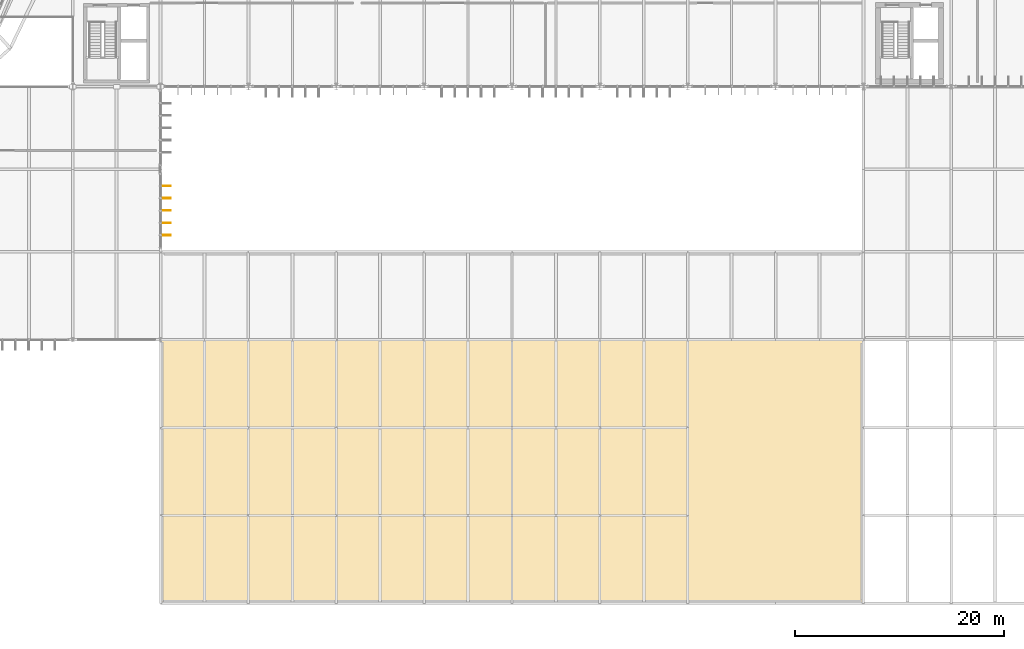
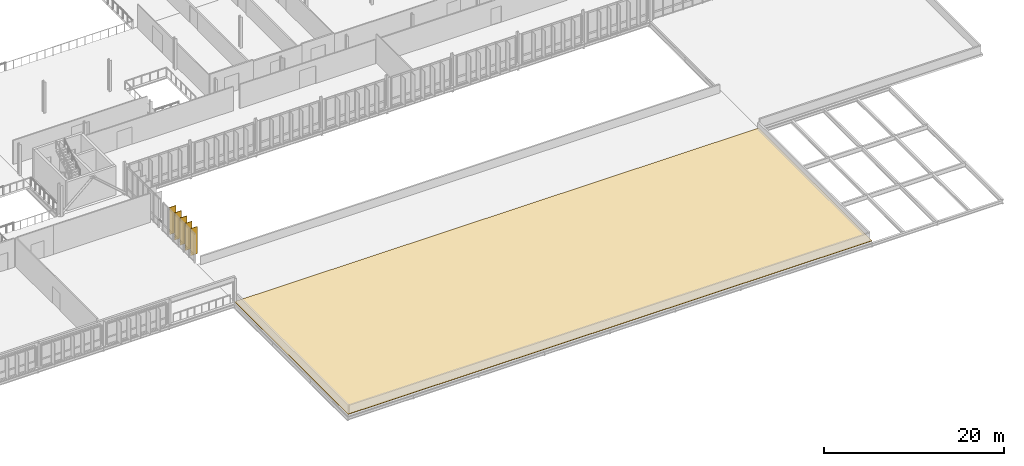
# One storey, part 99 of 107: 5 shading devices, 1 covering, 1 element without a shape of its own.
"""IFC4 building model written with IfcOpenShell, lengths in metres."""

from ifc_helpers import new_model, si_unit, derived_unit, direction, frame, origin, origin_2d, place, context, subcontext, project, spatial, polyline, rectangle, outline, extrude, material, layer, layer_set, type_object, element, aggregate, save


model = new_model("IFC4")

# Units and contexts
model_context = context("Model", 3, precision=1e-05, world=origin(), true_north=direction((0.0, 1.0)))
body_context = subcontext(model_context, "Body", "Model", "MODEL_VIEW")
ifc_project = project(units=[si_unit("LENGTHUNIT", "METRE"), si_unit("AREAUNIT", "SQUARE_METRE"), si_unit("VOLUMEUNIT", "CUBIC_METRE"), si_unit("PLANEANGLEUNIT", "RADIAN"), si_unit("MASSUNIT", "GRAM", prefix="KILO"), derived_unit("THERMALTRANSMITTANCEUNIT", [(si_unit("MASSUNIT", "GRAM", prefix="KILO"), 1), (si_unit("TIMEUNIT", "SECOND"), -3), (si_unit("THERMODYNAMICTEMPERATUREUNIT", "KELVIN"), -1)])], contexts=[model_context])

# Site, building, storey
site_placement = place(None, origin())
site = spatial("IfcSite", under=ifc_project, at=site_placement, CompositionType="ELEMENT")
building_placement = place(site_placement, origin())
building = spatial("IfcBuilding", under=site, at=building_placement, Name="Makaiwela Harbour Ferry Terminal", CompositionType="ELEMENT")
storey_placement = place(building_placement, frame((0.0, 0.0, 9.60009765625)))
storey = spatial("IfcBuildingStorey", under=building, at=storey_placement, Name="L02", CompositionType="ELEMENT", Elevation=9.60009765625)

# Roof, covering
ifc_material_1 = material(Name="Standing-seam marine zinc roofing", Category="aluminium")
ifc_layer_1 = layer(ifc_material_1, 0.219970703125)
ifc_layer_set_1 = layer_set([ifc_layer_1], Name="Standing-seam marine zinc roofing")
roof_type = type_object("IfcRoofType", Name="RF-FLAT-01", PredefinedType="FLAT_ROOF", material=ifc_layer_set_1)
roof_placement = place(storey_placement, origin())
roof = element("IfcRoof", 1, at=roof_placement, inside=storey, type_object=roof_type, Name="Roof Assembly RF-01", PredefinedType="FLAT_ROOF")
ifc_layer_2 = layer(ifc_material_1, 0.044921875)
ifc_layer_set_2 = layer_set([ifc_layer_2], Name="Standing-seam marine zinc roofing")
covering_type = type_object("IfcCoveringType", Name="COV-ROOF-ZINC", PredefinedType="ROOFING", material=ifc_layer_set_2)
covering_placement = place(storey_placement, origin())
covering = element("IfcCovering", 2, at=covering_placement, type_object=covering_type, Name="Architectural Covering RFG-01", PredefinedType="ROOFING", context=body_context, shape_type="SweptSolid", body=[
    extrude(outline(polyline([(71.39990234375, 0.0), (138.60009765625, 0.0), (138.60009765625, 25.199951171875), (71.39990234375, 25.199951171875), (71.39990234375, 0.0)])), origin(), (0.0, 0.0, 1.0), 0.044921875),
])
aggregate(roof, [covering])

# Shading devices
ifc_material_2 = material(Name="Thermally modified Accoya timber and anodised aluminium", Category="wood")
ifc_layer_3 = layer(ifc_material_2, 0.06005859375)
ifc_layer_set_3 = layer_set([ifc_layer_3], Name="Thermally modified Accoya timber and anodised aluminium")
shading_device_type = type_object("IfcShadingDeviceType", Name="ENV-FIN-850", PredefinedType="USERDEFINED", material=ifc_layer_set_3)
for number, where, z_axis, x_axis, name in (
    (3, (71.93798828125, 39.9033203125, 0.156982421875), (0.0, 0.0, 1.0), (1.0, 0.0, 0.0), "Vertical Solar Fin SFN-0388"),
    (4, (71.93798828125, 38.726806640625, 0.156982421875), (0.0, 0.0, 1.0), (1.0, 0.0, 0.0), "Vertical Solar Fin SFN-0389"),
    (5, (71.93798828125, 37.550048828125, 0.156982421875), (0.0, 0.0, 1.0), (1.0, 0.0, 0.0), "Vertical Solar Fin SFN-0390"),
    (6, (71.93798828125, 36.373291015625, 0.156982421875), (0.0, 0.0, 1.0), (1.0, 0.0, 0.0), "Vertical Solar Fin SFN-0391"),
    (7, (71.93798828125, 35.19677734375, 0.156982421875), (0.0, 0.0, 1.0), (1.0, 0.0, 0.0), "Vertical Solar Fin SFN-0392"),
):
    element("IfcShadingDevice", number, at=place(storey_placement, frame(where, z_axis=z_axis, x_axis=x_axis)), inside=storey, type_object=shading_device_type, Name=name, ObjectType="SOLAR FIN", PredefinedType="USERDEFINED", context=body_context, shape_type="SweptSolid", body=[
        extrude(rectangle(XDim=0.85009765625, YDim=0.06005859375, at=origin_2d()), origin(), (0.0, 0.0, 1.0), 3.68994140625),
    ])

save(model, "model.ifc")
